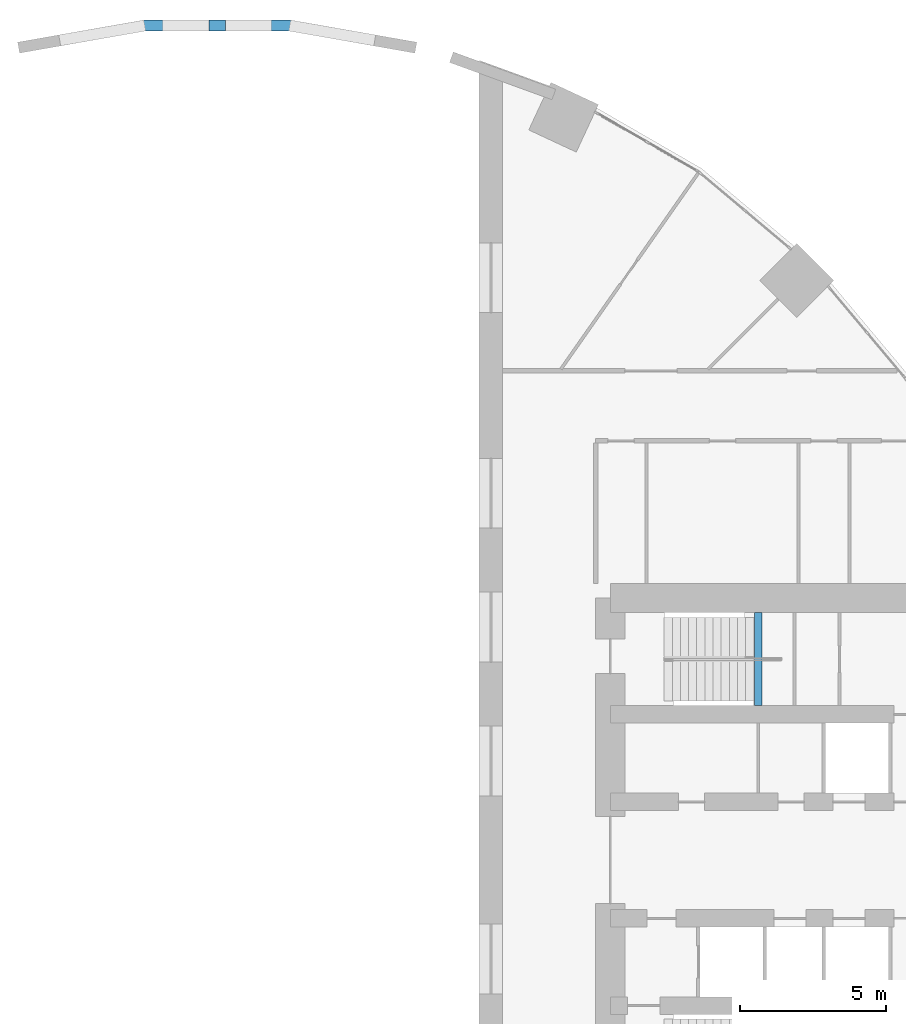
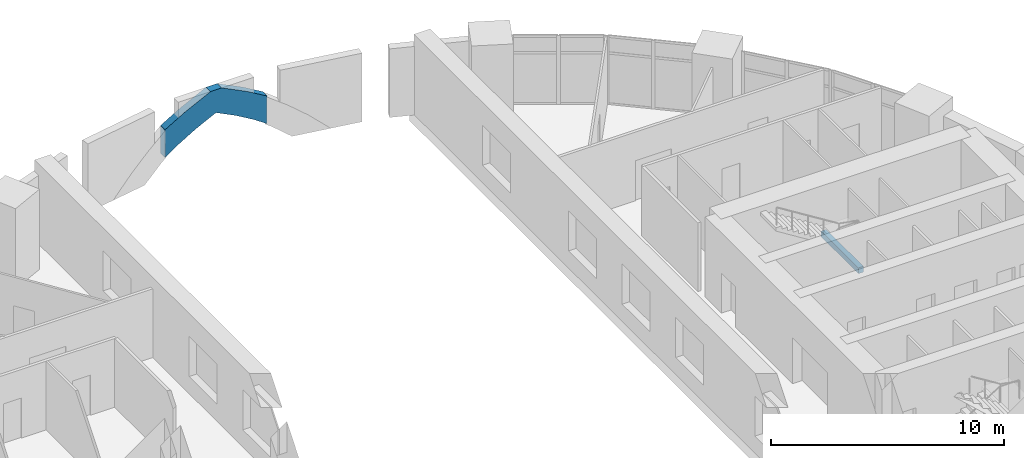
# One storey, part 6 of 15: 1 beam, 1 member.
"""IFC4 building model written with IfcOpenShell, lengths in metres."""

from ifc_helpers import new_model, si_unit, direction, frame, origin, origin_2d, place, context, subcontext, project, spatial, polyline, rectangle, hollow_rectangle, outline, extrude, material, material_profile, profile_set, type_object, element, save


model = new_model("IFC4")

# Units and contexts
model_context = context("Model", 3, precision=1e-05, world=origin(), true_north=direction((0.0, 1.0)))
body_context = subcontext(model_context, "Body", "Model", "MODEL_VIEW")
ifc_project = project(units=[si_unit("LENGTHUNIT", "METRE"), si_unit("AREAUNIT", "SQUARE_METRE"), si_unit("VOLUMEUNIT", "CUBIC_METRE"), si_unit("PLANEANGLEUNIT", "RADIAN"), si_unit("MASSUNIT", "GRAM", prefix="KILO")], contexts=[model_context])

# Site, building, storey
site_placement = place(None, origin())
site = spatial("IfcSite", under=ifc_project, at=site_placement, CompositionType="ELEMENT")
building_placement = place(site_placement, origin())
building = spatial("IfcBuilding", under=site, at=building_placement, Name="Saqina Gate Tower", CompositionType="ELEMENT")
storey_placement = place(building_placement, frame((0.0, 0.0, 17.60009765625)))
storey = spatial("IfcBuildingStorey", under=building, at=storey_placement, Name="L04", CompositionType="ELEMENT", Elevation=17.60009765625)

# Beam
ifc_material_1 = material(Name="Concrete C40/50", Category="concrete")
ifc_material_profile_1 = material_profile(ifc_material_1, rectangle(XDim=0.25, YDim=0.300048828125, at=origin_2d()), Name="STAIR LANDING BEAM")
ifc_profile_set_1 = profile_set([ifc_material_profile_1], Name="Concrete C40/50")
beam_type = type_object("IfcBeamType", Name="STAIR LANDING BEAM", PredefinedType="BEAM", material=ifc_profile_set_1)
beam_placement = place(storey_placement, frame((18.580078125, 5.300048828125, 1.699951171875), z_axis=(0.0, 1.0, 0.0), x_axis=(-1.0, 0.0, 0.0)))
element("IfcBeam", 1, at=beam_placement, inside=storey, type_object=beam_type, Name="EXIT STAIR 1 LANDING BEAM", PredefinedType="BEAM", context=body_context, shape_type="SweptSolid", body=[
    extrude(rectangle(XDim=0.25, YDim=0.300048828125, at=origin_2d()), origin(), (0.0, 0.0, 1.0), 3.199951171875),
])

# Member
ifc_material_2 = material(Name="Steel S355", Category="steel")
ifc_material_profile_2 = material_profile(ifc_material_2, hollow_rectangle(XDim=1.199951171875, YDim=0.3798828125, WallThickness=0.030029296875, at=origin_2d()), Name="BOX 1200x380x30")
ifc_profile_set_2 = profile_set([ifc_material_profile_2], Name="Steel S355")
member_type = type_object("IfcMemberType", Name="STR-ARCH RIB-BOX 1200x380x30", PredefinedType="USERDEFINED", material=ifc_profile_set_2)
member_placement = place(storey_placement, frame((-2.527587890625, 28.8525390625, 0.931640625), z_axis=(0.0, 0.999998030478, 0.001984701459), x_axis=(0.821565333057, -0.001131506837, 0.570113254723)))
element("IfcMember", 2, at=member_placement, inside=storey, type_object=member_type, Name="ARCH RIB N L04 facet 9", ObjectType="ARCH RIB", PredefinedType="USERDEFINED", context=body_context, shape_type="SweptSolid", body=[
    extrude(outline(polyline([(0.0, 0.0), (0.7301348918810602, -5.551115123125783e-17), (1.8260076900714919, 0.07847067308056666), (2.913657369415937, 0.23473886779544006), (3.4406563548935267, 1.1989347208061822), (3.897654359566722, 2.198058166668685), (4.153157174385721, 2.8820283940629303), (4.983137378486027, 1.685982495848215), (4.514232041082792, 0.6607668272144203), (3.8306386471774236, -0.5895040941951688), (3.36489775280267, -0.912698817029812), (1.9544623192866664, -1.1155514556519524), (0.8299802041003059, -1.1960458982147153), (0.0, 0.0)])), origin(), (0.0, 0.0, -1.0), 0.3798828125),
])

save(model, "model.ifc")
